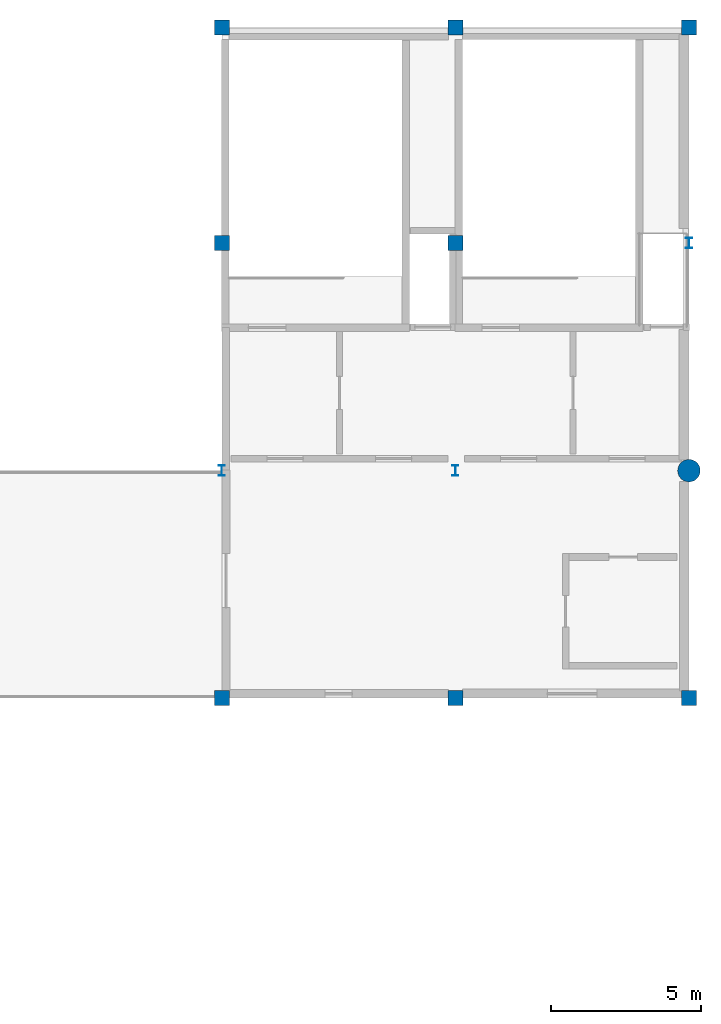
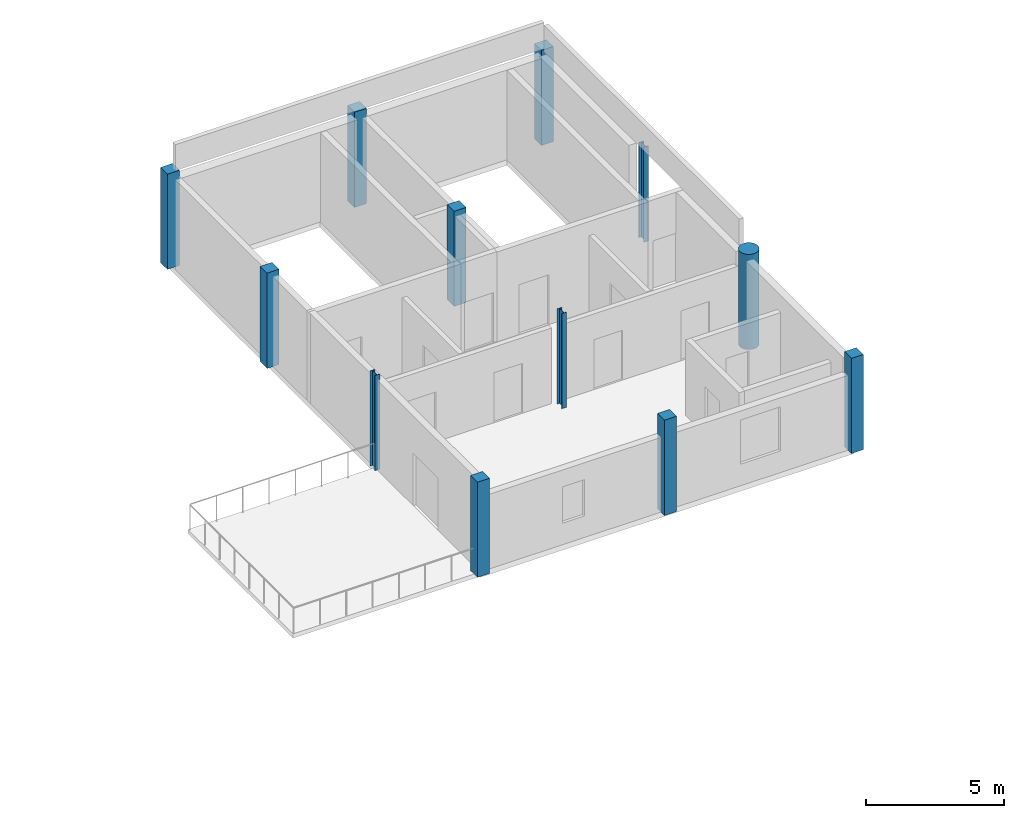
# One storey, part 7 of 17: 12 columns.
"""IFC4 building model written with IfcOpenShell, lengths in metres."""

from ifc_helpers import new_model, si_unit, direction, frame, origin, origin_2d, place, context, subcontext, project, spatial, rectangle, circle, i_section, extrude, material, material_profile, profile_set, type_object, element, save


model = new_model("IFC4")

# Units and contexts
model_context = context("Model", 3, precision=1e-05, world=origin(), true_north=direction((0.0, 1.0)))
body_context = subcontext(model_context, "Body", "Model", "MODEL_VIEW")
ifc_project = project(units=[si_unit("LENGTHUNIT", "METRE"), si_unit("AREAUNIT", "SQUARE_METRE"), si_unit("VOLUMEUNIT", "CUBIC_METRE"), si_unit("PLANEANGLEUNIT", "RADIAN"), si_unit("MASSUNIT", "GRAM", prefix="KILO")], contexts=[model_context])

# Site, building, storey
site_placement = place(None, origin())
site = spatial("IfcSite", under=ifc_project, at=site_placement, CompositionType="ELEMENT")
building_placement = place(site_placement, origin())
building = spatial("IfcBuilding", under=site, at=building_placement, Name="Xicomal Pleat Aquarium", CompositionType="ELEMENT")
storey_placement = place(building_placement, frame((0.0, 0.0, 19.800048828125)))
storey = spatial("IfcBuildingStorey", under=building, at=storey_placement, Name="L05", CompositionType="ELEMENT", Elevation=19.800048828125)

# Columns
ifc_material_1 = material(Name="Concrete C35/45", Category="concrete")
ifc_material_profile_1 = material_profile(ifc_material_1, rectangle(XDim=0.5, YDim=0.5, at=origin_2d()), Name="RC 500x500")
ifc_profile_set_1 = profile_set([ifc_material_profile_1], Name="Concrete C35/45")
column_type_1 = type_object("IfcColumnType", Name="COL-RC-500x500", PredefinedType="COLUMN", material=ifc_profile_set_1)
for number, where, z_axis, x_axis, name in (
    (1, (141.60009765625, 76.0, 0.0), (0.0, 0.0, 1.0), (1.0, 0.0, 0.0), "L05 column 18/L"),
    (2, (141.60009765625, 91.199951171875, 0.0), (0.0, 0.0, 1.0), (1.0, 0.0, 0.0), "L05 column 18/N"),
    (3, (141.60009765625, 98.39990234375, 0.0), (0.0, 0.0, 1.0), (1.0, 0.0, 0.0), "L05 column 18/P"),
    (4, (149.39990234375, 76.0, 0.0), (0.0, 0.0, 1.0), (1.0, 0.0, 0.0), "L05 column 19/L"),
    (5, (149.39990234375, 91.199951171875, 0.0), (0.0, 0.0, 1.0), (1.0, 0.0, 0.0), "L05 column 19/N"),
    (6, (149.39990234375, 98.39990234375, 0.0), (0.0, 0.0, 1.0), (1.0, 0.0, 0.0), "L05 column 19/P"),
    (7, (157.199951171875, 76.0, 0.0), (0.0, 0.0, 1.0), (1.0, 0.0, 0.0), "L05 column 20/L"),
    (8, (157.199951171875, 98.39990234375, 0.0), (0.0, 0.0, 1.0), (1.0, 0.0, 0.0), "L05 column 20/P"),
):
    element("IfcColumn", number, at=place(storey_placement, frame(where, z_axis=z_axis, x_axis=x_axis)), inside=storey, type_object=column_type_1, Name=name, PredefinedType="COLUMN", context=body_context, shape_type="SweptSolid", body=[
        extrude(rectangle(XDim=0.5, YDim=0.5, at=origin_2d()), origin(), (0.0, 0.0, 1.0), 4.199951171875),
    ])
ifc_material_2 = material(Name="Concrete C40/50", Category="concrete")
ifc_material_profile_2 = material_profile(ifc_material_2, circle(Radius=0.375, at=origin_2d()), Name="RCC D750")
ifc_profile_set_2 = profile_set([ifc_material_profile_2], Name="Concrete C40/50")
column_type_2 = type_object("IfcColumnType", Name="COL-RCC-D750", PredefinedType="COLUMN", material=ifc_profile_set_2)
column_placement = place(storey_placement, frame((157.199951171875, 83.60009765625, 0.0), z_axis=(0.0, 0.0, 1.0), x_axis=(1.0, 0.0, 0.0)))
element("IfcColumn", 9, at=column_placement, inside=storey, type_object=column_type_2, Name="L05 column 20/M", PredefinedType="COLUMN", context=body_context, shape_type="SweptSolid", body=[
    extrude(circle(Radius=0.375, at=origin_2d()), origin(), (0.0, 0.0, 1.0), 4.199951171875),
])
ifc_material_3 = material(Name="Structural steel A992 Gr 50", Category="steel")
ifc_material_profile_3 = material_profile(ifc_material_3, i_section(OverallWidth=0.205078125, OverallDepth=0.35400390625, WebThickness=0.009521484375, FlangeThickness=0.016845703125, at=origin_2d()), Name="IR 360x79")
ifc_profile_set_3 = profile_set([ifc_material_profile_3], Name="Structural steel A992 Gr 50")
column_type_3 = type_object("IfcColumnType", Name="COL-STL-IR360", PredefinedType="COLUMN", material=ifc_profile_set_3)
for number, where, z_axis, x_axis, name in (
    (10, (141.60009765625, 83.60009765625, 0.0), (0.0, 0.0, 1.0), (1.0, 0.0, 0.0), "L05 column 18/M"),
    (11, (149.39990234375, 83.60009765625, 0.0), (0.0, 0.0, 1.0), (1.0, 0.0, 0.0), "L05 column 19/M"),
    (12, (157.199951171875, 91.199951171875, 0.0), (0.0, 0.0, 1.0), (1.0, 0.0, 0.0), "L05 column 20/N"),
):
    element("IfcColumn", number, at=place(storey_placement, frame(where, z_axis=z_axis, x_axis=x_axis)), inside=storey, type_object=column_type_3, Name=name, PredefinedType="COLUMN", context=body_context, shape_type="SweptSolid", body=[
        extrude(i_section(OverallWidth=0.205078125, OverallDepth=0.35400390625, WebThickness=0.009521484375, FlangeThickness=0.016845703125, at=origin_2d()), origin(), (0.0, 0.0, 1.0), 4.199951171875),
    ])

save(model, "model.ifc")
